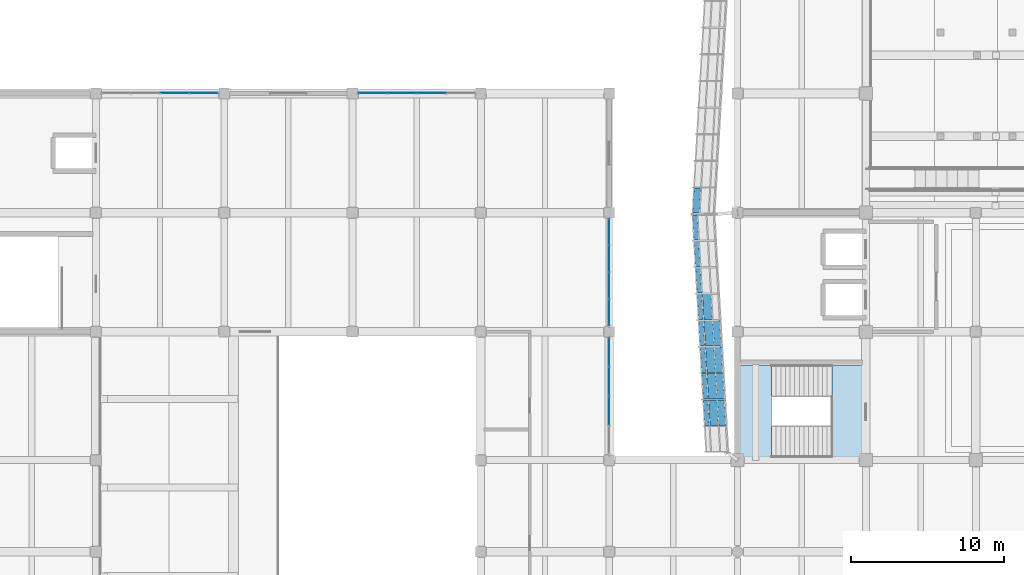
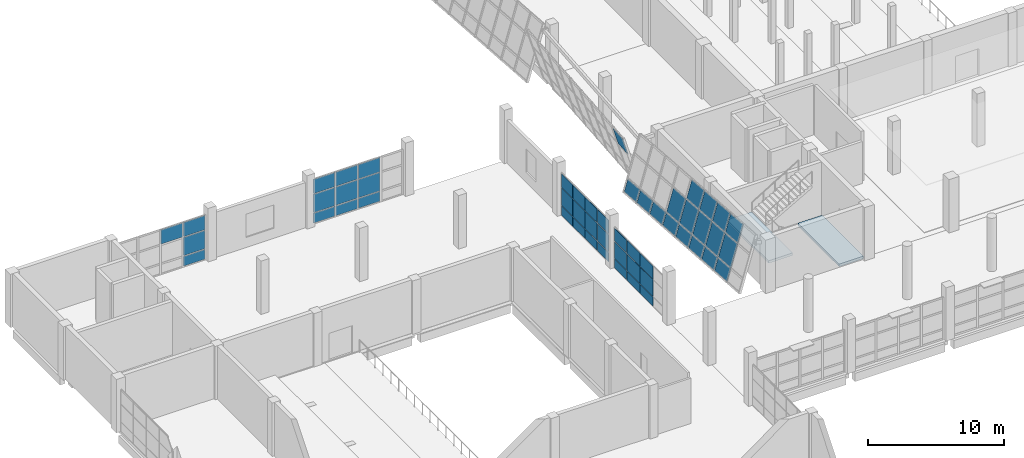
# One storey, part 66 of 91: 52 plates, 2 slabs, 7 elements without a shape of their own.
"""IFC4 building model written with IfcOpenShell, lengths in metres."""

from ifc_helpers import new_model, si_unit, direction, frame, origin, place, context, subcontext, project, spatial, polyline, outline, extrude, material, layer, layer_set, type_object, element, aggregate, save


model = new_model("IFC4")

# Units and contexts
model_context = context("Model", 3, precision=1e-05, world=origin(), true_north=direction((0.0, 1.0)))
body_context = subcontext(model_context, "Body", "Model", "MODEL_VIEW")
ifc_project = project(units=[si_unit("LENGTHUNIT", "METRE"), si_unit("AREAUNIT", "SQUARE_METRE"), si_unit("VOLUMEUNIT", "CUBIC_METRE"), si_unit("PLANEANGLEUNIT", "RADIAN"), si_unit("MASSUNIT", "GRAM", prefix="KILO")], contexts=[model_context])

# Site, building, storey
site_placement = place(None, origin())
site = spatial("IfcSite", under=ifc_project, at=site_placement, CompositionType="ELEMENT")
building_placement = place(site_placement, origin())
building = spatial("IfcBuilding", under=site, at=building_placement, Name="Pellamere Symphony Hall", CompositionType="ELEMENT")
storey_placement = place(building_placement, frame((0.0, 0.0, 5.39990234375)))
storey = spatial("IfcBuildingStorey", under=building, at=storey_placement, Name="L01", CompositionType="ELEMENT", Elevation=5.39990234375)

# Curtain wall, plate
ifc_material_1 = material(Name="Thermally Broken Anodised Aluminium 6063-T6 Curtain Wall", Category="aluminium")
curtain_wall_type_1 = type_object("IfcCurtainWallType", Name="Curtain Wall CW-01 (Tilted Faceted Crystal Low-Iron Curtain Wall)", PredefinedType="NOTDEFINED", material=ifc_material_1)
curtain_wall_1_placement = place(storey_placement, origin())
curtain_wall_1 = element("IfcCurtainWall", 1, at=curtain_wall_1_placement, inside=storey, type_object=curtain_wall_type_1, Name="Crystal Faceted Curtain Wall CW-CR17 (L01)", PredefinedType="NOTDEFINED")
ifc_material_2 = material(Name="Pre-Weathered Quartz-Zinc Faceted Cladding Cassette", Category="aluminium")
ifc_layer_1 = layer(ifc_material_2, 0.0400390625, Name="Pre-Weathered Quartz-Zinc Faceted Cladding Cassette")
ifc_layer_set_1 = layer_set([ifc_layer_1], Name="Pre-Weathered Quartz-Zinc Faceted Cladding Cassette")
plate_type_1 = type_object("IfcPlateType", Name="Facade Panel CL-01 40mm", PredefinedType="CURTAIN_PANEL", material=ifc_layer_set_1)
plate_1_placement = place(storey_placement, frame((47.998779296875, 47.806884765625, 3.2041015625), z_axis=(0.957387170277, -0.054851052538, 0.283550997572), x_axis=(-0.057198647566, -0.998362817175, 0.0)))
plate_1 = element("IfcPlate", 2, at=plate_1_placement, type_object=plate_type_1, Name="CW1-048 crystal glass panel 9.3", PredefinedType="CURTAIN_PANEL", context=body_context, shape_type="SweptSolid", body=[
    extrude(outline(polyline([(0.0, 0.0), (1.6347564733470132, 0.0), (1.6605768589303367, -1.5894035603330965), (0.025820385583323543, -1.5894035603330965), (0.0, 0.0)])), origin(), (0.0, 0.0, -1.0), 0.0400390625),
])
aggregate(curtain_wall_1, [plate_1])

# Curtain wall, plates
curtain_wall_type_2 = type_object("IfcCurtainWallType", Name="Curtain Wall CW-04 (Chamber Music Lobby Curtain Wall)", PredefinedType="NOTDEFINED", material=ifc_material_1)
curtain_wall_2_placement = place(storey_placement, origin())
curtain_wall_2 = element("IfcCurtainWall", 3, at=curtain_wall_2_placement, inside=storey, type_object=curtain_wall_type_2, Name="Chamber Forecourt East Curtain Wall (L01 Bay 2)", PredefinedType="NOTDEFINED")
ifc_material_3 = material(Name="Triple Low-E Argon Acoustic Glazing 36mm", Category="glass")
ifc_layer_2 = layer(ifc_material_3, 0.035888671875, Name="Triple Low-E Argon Acoustic Glazing 36mm")
ifc_layer_set_2 = layer_set([ifc_layer_2], Name="Triple Low-E Argon Acoustic Glazing 36mm")
plate_type_2 = type_object("IfcPlateType", Name="Facade Panel GL-01 36mm", PredefinedType="CURTAIN_PANEL", material=ifc_layer_set_2)
plate_2_placement = place(storey_placement, frame((42.0, 32.3076171875, 0.065185546875), z_axis=(1.0, 0.0, 0.0), x_axis=(0.0, 1.0, 0.0)))
plate_2 = element("IfcPlate", 4, at=plate_2_placement, type_object=plate_type_2, Name="CW4E-117 crystal glass panel 2.1", PredefinedType="CURTAIN_PANEL", context=body_context, shape_type="SweptSolid", body=[
    extrude(outline(polyline([(0.0, 0.0), (1.85986328125, 0.0), (1.85986328125, 0.79052734375), (0.0, 0.79052734375), (0.0, 0.0)])), origin(), (0.0, 0.0, -1.0), 0.035888671875),
])
plate_3_placement = place(storey_placement, frame((42.0, 32.3076171875, 0.920654296875), z_axis=(1.0, 0.0, 0.0), x_axis=(0.0, 1.0, 0.0)))
plate_3 = element("IfcPlate", 5, at=plate_3_placement, type_object=plate_type_2, Name="CW4E-117 crystal glass panel 2.2", PredefinedType="CURTAIN_PANEL", context=body_context, shape_type="SweptSolid", body=[
    extrude(outline(polyline([(0.0, 0.0), (1.85986328125, 0.0), (1.85986328125, 1.489013671875), (0.0, 1.489013671875), (0.0, 0.0)])), origin(), (0.0, 0.0, -1.0), 0.035888671875),
])
plate_4_placement = place(storey_placement, frame((42.0, 32.3076171875, 2.474609375), z_axis=(1.0, 0.0, 0.0), x_axis=(0.0, 1.0, 0.0)))
plate_4 = element("IfcPlate", 6, at=plate_4_placement, type_object=plate_type_2, Name="CW4E-117 crystal glass panel 2.3", PredefinedType="CURTAIN_PANEL", context=body_context, shape_type="SweptSolid", body=[
    extrude(outline(polyline([(0.0, 0.0), (1.85986328125, 0.0), (1.85986328125, 1.160400390625), (0.0, 1.160400390625), (0.0, 0.0)])), origin(), (0.0, 0.0, -1.0), 0.035888671875),
])
plate_5_placement = place(storey_placement, frame((42.0, 34.232421875, 0.065185546875), z_axis=(1.0, 0.0, 0.0), x_axis=(0.0, 1.0, 0.0)))
plate_5 = element("IfcPlate", 7, at=plate_5_placement, type_object=plate_type_2, Name="CW4E-117 crystal glass panel 3.1", PredefinedType="CURTAIN_PANEL", context=body_context, shape_type="SweptSolid", body=[
    extrude(outline(polyline([(0.0, 0.0), (1.860107421875, 0.0), (1.860107421875, 0.79052734375), (0.0, 0.79052734375), (0.0, 0.0)])), origin(), (0.0, 0.0, -1.0), 0.035888671875),
])
plate_6_placement = place(storey_placement, frame((42.0, 34.232421875, 0.920654296875), z_axis=(1.0, 0.0, 0.0), x_axis=(0.0, 1.0, 0.0)))
plate_6 = element("IfcPlate", 8, at=plate_6_placement, type_object=plate_type_2, Name="CW4E-117 crystal glass panel 3.2", PredefinedType="CURTAIN_PANEL", context=body_context, shape_type="SweptSolid", body=[
    extrude(outline(polyline([(0.0, 0.0), (1.860107421875, 0.0), (1.860107421875, 1.489013671875), (0.0, 1.489013671875), (0.0, 0.0)])), origin(), (0.0, 0.0, -1.0), 0.035888671875),
])
plate_7_placement = place(storey_placement, frame((42.0, 34.232421875, 2.474609375), z_axis=(1.0, 0.0, 0.0), x_axis=(0.0, 1.0, 0.0)))
plate_7 = element("IfcPlate", 9, at=plate_7_placement, type_object=plate_type_2, Name="CW4E-117 crystal glass panel 3.3", PredefinedType="CURTAIN_PANEL", context=body_context, shape_type="SweptSolid", body=[
    extrude(outline(polyline([(0.0, 0.0), (1.860107421875, 0.0), (1.860107421875, 1.160400390625), (0.0, 1.160400390625), (0.0, 0.0)])), origin(), (0.0, 0.0, -1.0), 0.035888671875),
])
plate_8_placement = place(storey_placement, frame((42.0, 36.157470703125, 0.065185546875), z_axis=(1.0, 0.0, 0.0), x_axis=(0.0, 1.0, 0.0)))
plate_8 = element("IfcPlate", 10, at=plate_8_placement, type_object=plate_type_2, Name="CW4E-117 crystal glass panel 4.1", PredefinedType="CURTAIN_PANEL", context=body_context, shape_type="SweptSolid", body=[
    extrude(outline(polyline([(0.0, 0.0), (1.82763671875, 0.0), (1.82763671875, 0.79052734375), (0.0, 0.79052734375), (0.0, 0.0)])), origin(), (0.0, 0.0, -1.0), 0.035888671875),
])
plate_9_placement = place(storey_placement, frame((42.0, 36.157470703125, 0.920654296875), z_axis=(1.0, 0.0, 0.0), x_axis=(0.0, 1.0, 0.0)))
plate_9 = element("IfcPlate", 11, at=plate_9_placement, type_object=plate_type_2, Name="CW4E-117 crystal glass panel 4.2", PredefinedType="CURTAIN_PANEL", context=body_context, shape_type="SweptSolid", body=[
    extrude(outline(polyline([(0.0, 0.0), (1.82763671875, 0.0), (1.82763671875, 1.489013671875), (0.0, 1.489013671875), (0.0, 0.0)])), origin(), (0.0, 0.0, -1.0), 0.035888671875),
])
plate_10_placement = place(storey_placement, frame((42.0, 36.157470703125, 2.474609375), z_axis=(1.0, 0.0, 0.0), x_axis=(0.0, 1.0, 0.0)))
plate_10 = element("IfcPlate", 12, at=plate_10_placement, type_object=plate_type_2, Name="CW4E-117 crystal glass panel 4.3", PredefinedType="CURTAIN_PANEL", context=body_context, shape_type="SweptSolid", body=[
    extrude(outline(polyline([(0.0, 0.0), (1.82763671875, 0.0), (1.82763671875, 1.160400390625), (0.0, 1.160400390625), (0.0, 0.0)])), origin(), (0.0, 0.0, -1.0), 0.035888671875),
])
aggregate(curtain_wall_2, [plate_2, plate_3, plate_4, plate_5, plate_6, plate_7, plate_8, plate_9, plate_10])

curtain_wall_3_placement = place(storey_placement, origin())
curtain_wall_3 = element("IfcCurtainWall", 13, at=curtain_wall_3_placement, inside=storey, type_object=curtain_wall_type_2, Name="Chamber Forecourt East Curtain Wall (L01 Bay 3)", PredefinedType="NOTDEFINED")
plate_11_placement = place(storey_placement, frame((42.0, 38.81494140625, 0.065185546875), z_axis=(1.0, 0.0, 0.0), x_axis=(0.0, 1.0, 0.0)))
plate_11 = element("IfcPlate", 14, at=plate_11_placement, type_object=plate_type_2, Name="CW4E-118 crystal glass panel 1.1", PredefinedType="CURTAIN_PANEL", context=body_context, shape_type="SweptSolid", body=[
    extrude(outline(polyline([(0.0, 0.0), (1.677490234375, 0.0), (1.677490234375, 0.826416015625), (0.0, 0.826416015625), (0.0, 0.0)])), origin(), (0.0, 0.0, -1.0), 0.035888671875),
])
plate_12_placement = place(storey_placement, frame((42.0, 38.81494140625, 0.95654296875), z_axis=(1.0, 0.0, 0.0), x_axis=(0.0, 1.0, 0.0)))
plate_12 = element("IfcPlate", 15, at=plate_12_placement, type_object=plate_type_2, Name="CW4E-118 crystal glass panel 1.2", PredefinedType="CURTAIN_PANEL", context=body_context, shape_type="SweptSolid", body=[
    extrude(outline(polyline([(0.0, 0.0), (1.677490234375, 0.0), (1.677490234375, 1.552001953125), (0.0, 1.552001953125), (0.0, 0.0)])), origin(), (0.0, 0.0, -1.0), 0.035888671875),
])
plate_13_placement = place(storey_placement, frame((42.0, 38.81494140625, 2.573486328125), z_axis=(1.0, 0.0, 0.0), x_axis=(0.0, 1.0, 0.0)))
plate_13 = element("IfcPlate", 16, at=plate_13_placement, type_object=plate_type_2, Name="CW4E-118 crystal glass panel 1.3", PredefinedType="CURTAIN_PANEL", context=body_context, shape_type="SweptSolid", body=[
    extrude(outline(polyline([(0.0, 0.0), (1.677490234375, 0.0), (1.677490234375, 1.211669921875), (0.0, 1.211669921875), (0.0, 0.0)])), origin(), (0.0, 0.0, -1.0), 0.035888671875),
])
plate_14_placement = place(storey_placement, frame((42.0, 40.5576171875, 0.065185546875), z_axis=(1.0, 0.0, 0.0), x_axis=(0.0, 1.0, 0.0)))
plate_14 = element("IfcPlate", 17, at=plate_14_placement, type_object=plate_type_2, Name="CW4E-118 crystal glass panel 2.1", PredefinedType="CURTAIN_PANEL", context=body_context, shape_type="SweptSolid", body=[
    extrude(outline(polyline([(0.0, 0.0), (1.7099609375, 0.0), (1.7099609375, 0.826416015625), (0.0, 0.826416015625), (0.0, 0.0)])), origin(), (0.0, 0.0, -1.0), 0.035888671875),
])
plate_15_placement = place(storey_placement, frame((42.0, 40.5576171875, 0.95654296875), z_axis=(1.0, 0.0, 0.0), x_axis=(0.0, 1.0, 0.0)))
plate_15 = element("IfcPlate", 18, at=plate_15_placement, type_object=plate_type_2, Name="CW4E-118 crystal glass panel 2.2", PredefinedType="CURTAIN_PANEL", context=body_context, shape_type="SweptSolid", body=[
    extrude(outline(polyline([(0.0, 0.0), (1.7099609375, 0.0), (1.7099609375, 1.552001953125), (0.0, 1.552001953125), (0.0, 0.0)])), origin(), (0.0, 0.0, -1.0), 0.035888671875),
])
plate_16_placement = place(storey_placement, frame((42.0, 40.5576171875, 2.573486328125), z_axis=(1.0, 0.0, 0.0), x_axis=(0.0, 1.0, 0.0)))
plate_16 = element("IfcPlate", 19, at=plate_16_placement, type_object=plate_type_2, Name="CW4E-118 crystal glass panel 2.3", PredefinedType="CURTAIN_PANEL", context=body_context, shape_type="SweptSolid", body=[
    extrude(outline(polyline([(0.0, 0.0), (1.7099609375, 0.0), (1.7099609375, 1.211669921875), (0.0, 1.211669921875), (0.0, 0.0)])), origin(), (0.0, 0.0, -1.0), 0.035888671875),
])
plate_17_placement = place(storey_placement, frame((42.0, 42.33251953125, 0.065185546875), z_axis=(1.0, 0.0, 0.0), x_axis=(0.0, 1.0, 0.0)))
plate_17 = element("IfcPlate", 20, at=plate_17_placement, type_object=plate_type_2, Name="CW4E-118 crystal glass panel 3.1", PredefinedType="CURTAIN_PANEL", context=body_context, shape_type="SweptSolid", body=[
    extrude(outline(polyline([(0.0, 0.0), (1.7099609375, 0.0), (1.7099609375, 0.826416015625), (0.0, 0.826416015625), (0.0, 0.0)])), origin(), (0.0, 0.0, -1.0), 0.035888671875),
])
plate_18_placement = place(storey_placement, frame((42.0, 42.33251953125, 0.95654296875), z_axis=(1.0, 0.0, 0.0), x_axis=(0.0, 1.0, 0.0)))
plate_18 = element("IfcPlate", 21, at=plate_18_placement, type_object=plate_type_2, Name="CW4E-118 crystal glass panel 3.2", PredefinedType="CURTAIN_PANEL", context=body_context, shape_type="SweptSolid", body=[
    extrude(outline(polyline([(0.0, 0.0), (1.7099609375, 0.0), (1.7099609375, 1.552001953125), (0.0, 1.552001953125), (0.0, 0.0)])), origin(), (0.0, 0.0, -1.0), 0.035888671875),
])
plate_19_placement = place(storey_placement, frame((42.0, 42.33251953125, 2.573486328125), z_axis=(1.0, 0.0, 0.0), x_axis=(0.0, 1.0, 0.0)))
plate_19 = element("IfcPlate", 22, at=plate_19_placement, type_object=plate_type_2, Name="CW4E-118 crystal glass panel 3.3", PredefinedType="CURTAIN_PANEL", context=body_context, shape_type="SweptSolid", body=[
    extrude(outline(polyline([(0.0, 0.0), (1.7099609375, 0.0), (1.7099609375, 1.211669921875), (0.0, 1.211669921875), (0.0, 0.0)])), origin(), (0.0, 0.0, -1.0), 0.035888671875),
])
plate_20_placement = place(storey_placement, frame((42.0, 44.107421875, 0.065185546875), z_axis=(1.0, 0.0, 0.0), x_axis=(0.0, 1.0, 0.0)))
plate_20 = element("IfcPlate", 23, at=plate_20_placement, type_object=plate_type_2, Name="CW4E-118 crystal glass panel 4.1", PredefinedType="CURTAIN_PANEL", context=body_context, shape_type="SweptSolid", body=[
    extrude(outline(polyline([(0.0, 0.0), (1.677490234375, 0.0), (1.677490234375, 0.826416015625), (0.0, 0.826416015625), (0.0, 0.0)])), origin(), (0.0, 0.0, -1.0), 0.035888671875),
])
plate_21_placement = place(storey_placement, frame((42.0, 44.107421875, 0.95654296875), z_axis=(1.0, 0.0, 0.0), x_axis=(0.0, 1.0, 0.0)))
plate_21 = element("IfcPlate", 24, at=plate_21_placement, type_object=plate_type_2, Name="CW4E-118 crystal glass panel 4.2", PredefinedType="CURTAIN_PANEL", context=body_context, shape_type="SweptSolid", body=[
    extrude(outline(polyline([(0.0, 0.0), (1.677490234375, 0.0), (1.677490234375, 1.552001953125), (0.0, 1.552001953125), (0.0, 0.0)])), origin(), (0.0, 0.0, -1.0), 0.035888671875),
])
plate_22_placement = place(storey_placement, frame((42.0, 44.107421875, 2.573486328125), z_axis=(1.0, 0.0, 0.0), x_axis=(0.0, 1.0, 0.0)))
plate_22 = element("IfcPlate", 25, at=plate_22_placement, type_object=plate_type_2, Name="CW4E-118 crystal glass panel 4.3", PredefinedType="CURTAIN_PANEL", context=body_context, shape_type="SweptSolid", body=[
    extrude(outline(polyline([(0.0, 0.0), (1.677490234375, 0.0), (1.677490234375, 1.211669921875), (0.0, 1.211669921875), (0.0, 0.0)])), origin(), (0.0, 0.0, -1.0), 0.035888671875),
])
aggregate(curtain_wall_3, [plate_11, plate_12, plate_13, plate_14, plate_15, plate_16, plate_17, plate_18, plate_19, plate_20, plate_21, plate_22])

curtain_wall_4_placement = place(storey_placement, origin())
curtain_wall_4 = element("IfcCurtainWall", 26, at=curtain_wall_4_placement, inside=storey, type_object=curtain_wall_type_2, Name="Chamber Garden North Curtain Wall (L01 Bay 1)", PredefinedType="NOTDEFINED")
plate_23_placement = place(storey_placement, frame((12.632568359375, 54.0, 2.71484375), z_axis=(0.0, -1.0, 0.0), x_axis=(1.0, 0.0, 0.0)))
plate_23 = element("IfcPlate", 27, at=plate_23_placement, type_object=plate_type_2, Name="CW4N-119 crystal glass panel 3.3", PredefinedType="CURTAIN_PANEL", context=body_context, shape_type="SweptSolid", body=[
    extrude(outline(polyline([(0.0, 0.0), (1.85986328125, 0.0), (1.85986328125, 1.2841796875), (0.0, 1.2841796875), (0.0, 0.0)])), origin(), (0.0, 0.0, -1.0), 0.035888671875),
])
plate_24_placement = place(storey_placement, frame((14.5576171875, 54.0, 0.065185546875), z_axis=(0.0, -1.0, 0.0), x_axis=(1.0, 0.0, 0.0)))
plate_24 = element("IfcPlate", 28, at=plate_24_placement, type_object=plate_type_2, Name="CW4N-119 crystal glass panel 4.1", PredefinedType="CURTAIN_PANEL", context=body_context, shape_type="SweptSolid", body=[
    extrude(outline(polyline([(0.0, 0.0), (1.827392578125, 0.0), (1.827392578125, 0.877685546875), (0.0, 0.877685546875), (0.0, 0.0)])), origin(), (0.0, 0.0, -1.0), 0.035888671875),
])
plate_25_placement = place(storey_placement, frame((14.5576171875, 54.0, 1.008056640625), z_axis=(0.0, -1.0, 0.0), x_axis=(1.0, 0.0, 0.0)))
plate_25 = element("IfcPlate", 29, at=plate_25_placement, type_object=plate_type_2, Name="CW4N-119 crystal glass panel 4.2", PredefinedType="CURTAIN_PANEL", context=body_context, shape_type="SweptSolid", body=[
    extrude(outline(polyline([(0.0, 0.0), (1.827392578125, 0.0), (1.827392578125, 1.641845703125), (0.0, 1.641845703125), (0.0, 0.0)])), origin(), (0.0, 0.0, -1.0), 0.035888671875),
])
plate_26_placement = place(storey_placement, frame((14.5576171875, 54.0, 2.71484375), z_axis=(0.0, -1.0, 0.0), x_axis=(1.0, 0.0, 0.0)))
plate_26 = element("IfcPlate", 30, at=plate_26_placement, type_object=plate_type_2, Name="CW4N-119 crystal glass panel 4.3", PredefinedType="CURTAIN_PANEL", context=body_context, shape_type="SweptSolid", body=[
    extrude(outline(polyline([(0.0, 0.0), (1.827392578125, 0.0), (1.827392578125, 1.2841796875), (0.0, 1.2841796875), (0.0, 0.0)])), origin(), (0.0, 0.0, -1.0), 0.035888671875),
])
aggregate(curtain_wall_4, [plate_23, plate_24, plate_25, plate_26])

curtain_wall_5_placement = place(storey_placement, origin())
curtain_wall_5 = element("IfcCurtainWall", 31, at=curtain_wall_5_placement, inside=storey, type_object=curtain_wall_type_2, Name="Chamber Garden North Curtain Wall (L01 Bay 2)", PredefinedType="NOTDEFINED")
plate_27_placement = place(storey_placement, frame((25.614990234375, 54.0, 0.065185546875), z_axis=(0.0, -1.0, 0.0), x_axis=(1.0, 0.0, 0.0)))
plate_27 = element("IfcPlate", 32, at=plate_27_placement, type_object=plate_type_2, Name="CW4N-120 crystal glass panel 1.1", PredefinedType="CURTAIN_PANEL", context=body_context, shape_type="SweptSolid", body=[
    extrude(outline(polyline([(0.0, 0.0), (1.827392578125, 0.0), (1.827392578125, 0.877685546875), (0.0, 0.877685546875), (0.0, 0.0)])), origin(), (0.0, 0.0, -1.0), 0.035888671875),
])
plate_28_placement = place(storey_placement, frame((25.614990234375, 54.0, 1.008056640625), z_axis=(0.0, -1.0, 0.0), x_axis=(1.0, 0.0, 0.0)))
plate_28 = element("IfcPlate", 33, at=plate_28_placement, type_object=plate_type_2, Name="CW4N-120 crystal glass panel 1.2", PredefinedType="CURTAIN_PANEL", context=body_context, shape_type="SweptSolid", body=[
    extrude(outline(polyline([(0.0, 0.0), (1.827392578125, 0.0), (1.827392578125, 1.641845703125), (0.0, 1.641845703125), (0.0, 0.0)])), origin(), (0.0, 0.0, -1.0), 0.035888671875),
])
plate_29_placement = place(storey_placement, frame((25.614990234375, 54.0, 2.71484375), z_axis=(0.0, -1.0, 0.0), x_axis=(1.0, 0.0, 0.0)))
plate_29 = element("IfcPlate", 34, at=plate_29_placement, type_object=plate_type_2, Name="CW4N-120 crystal glass panel 1.3", PredefinedType="CURTAIN_PANEL", context=body_context, shape_type="SweptSolid", body=[
    extrude(outline(polyline([(0.0, 0.0), (1.827392578125, 0.0), (1.827392578125, 1.2841796875), (0.0, 1.2841796875), (0.0, 0.0)])), origin(), (0.0, 0.0, -1.0), 0.035888671875),
])
plate_30_placement = place(storey_placement, frame((27.507568359375, 54.0, 0.065185546875), z_axis=(0.0, -1.0, 0.0), x_axis=(1.0, 0.0, 0.0)))
plate_30 = element("IfcPlate", 35, at=plate_30_placement, type_object=plate_type_2, Name="CW4N-120 crystal glass panel 2.1", PredefinedType="CURTAIN_PANEL", context=body_context, shape_type="SweptSolid", body=[
    extrude(outline(polyline([(0.0, 0.0), (1.85986328125, 0.0), (1.85986328125, 0.877685546875), (0.0, 0.877685546875), (0.0, 0.0)])), origin(), (0.0, 0.0, -1.0), 0.035888671875),
])
plate_31_placement = place(storey_placement, frame((27.507568359375, 54.0, 1.008056640625), z_axis=(0.0, -1.0, 0.0), x_axis=(1.0, 0.0, 0.0)))
plate_31 = element("IfcPlate", 36, at=plate_31_placement, type_object=plate_type_2, Name="CW4N-120 crystal glass panel 2.2", PredefinedType="CURTAIN_PANEL", context=body_context, shape_type="SweptSolid", body=[
    extrude(outline(polyline([(0.0, 0.0), (1.85986328125, 0.0), (1.85986328125, 1.641845703125), (0.0, 1.641845703125), (0.0, 0.0)])), origin(), (0.0, 0.0, -1.0), 0.035888671875),
])
plate_32_placement = place(storey_placement, frame((27.507568359375, 54.0, 2.71484375), z_axis=(0.0, -1.0, 0.0), x_axis=(1.0, 0.0, 0.0)))
plate_32 = element("IfcPlate", 37, at=plate_32_placement, type_object=plate_type_2, Name="CW4N-120 crystal glass panel 2.3", PredefinedType="CURTAIN_PANEL", context=body_context, shape_type="SweptSolid", body=[
    extrude(outline(polyline([(0.0, 0.0), (1.85986328125, 0.0), (1.85986328125, 1.2841796875), (0.0, 1.2841796875), (0.0, 0.0)])), origin(), (0.0, 0.0, -1.0), 0.035888671875),
])
plate_33_placement = place(storey_placement, frame((29.4326171875, 54.0, 0.065185546875), z_axis=(0.0, -1.0, 0.0), x_axis=(1.0, 0.0, 0.0)))
plate_33 = element("IfcPlate", 38, at=plate_33_placement, type_object=plate_type_2, Name="CW4N-120 crystal glass panel 3.1", PredefinedType="CURTAIN_PANEL", context=body_context, shape_type="SweptSolid", body=[
    extrude(outline(polyline([(0.0, 0.0), (1.85986328125, 0.0), (1.85986328125, 0.877685546875), (0.0, 0.877685546875), (0.0, 0.0)])), origin(), (0.0, 0.0, -1.0), 0.035888671875),
])
plate_34_placement = place(storey_placement, frame((29.4326171875, 54.0, 1.008056640625), z_axis=(0.0, -1.0, 0.0), x_axis=(1.0, 0.0, 0.0)))
plate_34 = element("IfcPlate", 39, at=plate_34_placement, type_object=plate_type_2, Name="CW4N-120 crystal glass panel 3.2", PredefinedType="CURTAIN_PANEL", context=body_context, shape_type="SweptSolid", body=[
    extrude(outline(polyline([(0.0, 0.0), (1.85986328125, 0.0), (1.85986328125, 1.641845703125), (0.0, 1.641845703125), (0.0, 0.0)])), origin(), (0.0, 0.0, -1.0), 0.035888671875),
])
plate_35_placement = place(storey_placement, frame((29.4326171875, 54.0, 2.71484375), z_axis=(0.0, -1.0, 0.0), x_axis=(1.0, 0.0, 0.0)))
plate_35 = element("IfcPlate", 40, at=plate_35_placement, type_object=plate_type_2, Name="CW4N-120 crystal glass panel 3.3", PredefinedType="CURTAIN_PANEL", context=body_context, shape_type="SweptSolid", body=[
    extrude(outline(polyline([(0.0, 0.0), (1.85986328125, 0.0), (1.85986328125, 1.2841796875), (0.0, 1.2841796875), (0.0, 0.0)])), origin(), (0.0, 0.0, -1.0), 0.035888671875),
])
aggregate(curtain_wall_5, [plate_27, plate_28, plate_29, plate_30, plate_31, plate_32, plate_33, plate_34, plate_35])

curtain_wall_6_placement = place(storey_placement, origin())
curtain_wall_6 = element("IfcCurtainWall", 41, at=curtain_wall_6_placement, inside=storey, type_object=curtain_wall_type_1, Name="Crystal Faceted Curtain Wall CW-CR18 (L01)", PredefinedType="NOTDEFINED")
ifc_material_4 = material(Name="Triple Laminated Acoustic Crystal Glazing 42mm", Category="glass")
ifc_layer_3 = layer(ifc_material_4, 0.0419921875, Name="Triple Laminated Acoustic Crystal Glazing 42mm")
ifc_layer_set_3 = layer_set([ifc_layer_3], Name="Triple Laminated Acoustic Crystal Glazing 42mm")
plate_type_3 = type_object("IfcPlateType", Name="Facade Panel GL-02 42mm", PredefinedType="CURTAIN_PANEL", material=ifc_layer_set_3)
plate_36_placement = place(storey_placement, frame((47.453857421875, 46.025146484375, 0.072021484375), z_axis=(-0.957350958392, -0.055220695341, 0.283601511406), x_axis=(0.057585007883, -0.99834060664, 0.0)))
plate_36 = element("IfcPlate", 42, at=plate_36_placement, type_object=plate_type_3, Name="CW1-053 crystal glass panel 1.1", PredefinedType="CURTAIN_PANEL", context=body_context, shape_type="SweptSolid", body=[
    extrude(outline(polyline([(0.0, 0.0), (1.6237882534451713, -6.938893903907228e-18), (1.6416008034910186, 1.0888971520236395), (0.017812550045847142, 1.0888971520236395), (0.0, 0.0)])), origin(), (0.0, 0.0, -1.0), 0.0419921875),
])
plate_37_placement = place(storey_placement, frame((47.5517578125, 44.329345703125, 0.072021484375), z_axis=(-0.957410840201, -0.055240660783, 0.283395399508), x_axis=(0.057602168051, -0.998339616682, 0.0)))
plate_37 = element("IfcPlate", 43, at=plate_37_placement, type_object=plate_type_3, Name="CW1-053 crystal glass panel 2.1", PredefinedType="CURTAIN_PANEL", context=body_context, shape_type="SweptSolid", body=[
    extrude(outline(polyline([(0.0, 0.0), (1.6614500501978287, -3.469446951953614e-18), (1.6792538453034658, 1.0888279666407128), (0.01780379510563712, 1.0888279666407128), (0.0, 0.0)])), origin(), (0.0, 0.0, -1.0), 0.0419921875),
])
plate_38_placement = place(storey_placement, frame((47.651611328125, 42.595947265625, 0.072021484375), z_axis=(-0.957349655397, -0.055245262022, 0.283601125412), x_axis=(0.057610619545, -0.998339129012, 0.0)))
plate_38 = element("IfcPlate", 44, at=plate_38_placement, type_object=plate_type_3, Name="CW1-053 crystal glass panel 3.1", PredefinedType="CURTAIN_PANEL", context=body_context, shape_type="SweptSolid", body=[
    extrude(outline(polyline([(0.0, 0.0), (1.6612063149993754, 3.469446951953614e-18), (1.67902678740273, 1.0888970223981924), (0.017820472403354506, 1.0888970223981924), (0.0, 0.0)])), origin(), (0.0, 0.0, -1.0), 0.0419921875),
])
plate_39_placement = place(storey_placement, frame((47.751708984375, 40.862548828125, 0.072021484375), z_axis=(-0.957349655397, -0.055245262022, 0.283601125412), x_axis=(0.057610619545, -0.998339129012, 0.0)))
plate_39 = element("IfcPlate", 45, at=plate_39_placement, type_object=plate_type_3, Name="CW1-053 crystal glass panel 4.1", PredefinedType="CURTAIN_PANEL", context=body_context, shape_type="SweptSolid", body=[
    extrude(outline(polyline([(0.0, 0.0), (1.6612063149993754, 3.469446951953614e-18), (1.67902678740273, 1.0888970223981924), (0.017820472403354506, 1.0888970223981924), (0.0, 0.0)])), origin(), (0.0, 0.0, -1.0), 0.0419921875),
])
plate_40_placement = place(storey_placement, frame((48.082275390625, 40.862548828125, 1.18798828125), z_axis=(-0.957367242492, -0.055175809721, 0.283555273316), x_axis=(0.057543268756, -0.998343013109, 1.9948157e-05)))
plate_40 = element("IfcPlate", 46, at=plate_40_placement, type_object=plate_type_3, Name="CW1-053 crystal glass panel 4.2", PredefinedType="CURTAIN_PANEL", context=body_context, shape_type="SweptSolid", body=[
    extrude(outline(polyline([(0.0, 0.0), (1.661206310888601, 0.0), (1.6943718076903342, 2.027265288745848), (0.033179545451331935, 2.027334401129952), (0.0, 0.0)])), origin(), (0.0, 0.0, -1.0), 0.0419921875),
])
plate_41_placement = place(storey_placement, frame((47.8515625, 39.129150390625, 0.072021484375), z_axis=(-0.957349655397, -0.055245262022, 0.283601125412), x_axis=(0.057610619545, -0.998339129012, 0.0)))
plate_41 = element("IfcPlate", 47, at=plate_41_placement, type_object=plate_type_3, Name="CW1-053 crystal glass panel 5.1", PredefinedType="CURTAIN_PANEL", context=body_context, shape_type="SweptSolid", body=[
    extrude(outline(polyline([(0.0, 0.0), (1.6612063149993754, 3.469446951953614e-18), (1.67902678740273, 1.0888970223981924), (0.017820472403354506, 1.0888970223981924), (0.0, 0.0)])), origin(), (0.0, 0.0, -1.0), 0.0419921875),
])
plate_42_placement = place(storey_placement, frame((48.18212890625, 39.129150390625, 1.18798828125), z_axis=(-0.957347197893, -0.055245120208, 0.283609448679), x_axis=(0.057610619545, -0.998339129012, 0.0)))
plate_42 = element("IfcPlate", 48, at=plate_42_placement, type_object=plate_type_3, Name="CW1-053 crystal glass panel 5.2", PredefinedType="CURTAIN_PANEL", context=body_context, shape_type="SweptSolid", body=[
    extrude(outline(polyline([(0.0, 0.0), (1.6612063149993754, 6.938893903907228e-18), (1.6943858685901516, 2.0273344043651265), (0.03317955359077607, 2.0273344043651265), (0.0, 0.0)])), origin(), (0.0, 0.0, -1.0), 0.0419921875),
])
plate_43_placement = place(storey_placement, frame((48.779296875, 39.129150390625, 3.2041015625), z_axis=(-0.95732464422, -0.055243818715, 0.283685822811), x_axis=(0.057610619545, -0.998339129012, 0.0)))
plate_43 = element("IfcPlate", 49, at=plate_43_placement, type_object=plate_type_3, Name="CW1-053 crystal glass panel 5.3", PredefinedType="CURTAIN_PANEL", context=body_context, shape_type="SweptSolid", body=[
    extrude(outline(polyline([(0.0, 0.0), (1.6612063149993754, -3.469446951953614e-18), (1.6872267364249525, 1.5894696553130707), (0.026020421425576826, 1.5894696553130707), (0.0, 0.0)])), origin(), (0.0, 0.0, -1.0), 0.0419921875),
])
plate_44_placement = place(storey_placement, frame((47.95166015625, 37.39599609375, 0.072021484375), z_axis=(-0.957349655397, -0.055245262022, 0.283601125412), x_axis=(0.057610619545, -0.998339129012, 0.0)))
plate_44 = element("IfcPlate", 50, at=plate_44_placement, type_object=plate_type_3, Name="CW1-053 crystal glass panel 6.1", PredefinedType="CURTAIN_PANEL", context=body_context, shape_type="SweptSolid", body=[
    extrude(outline(polyline([(0.0, 0.0), (1.6612063149993754, 3.469446951953614e-18), (1.67902678740273, 1.0888970223981924), (0.017820472403354506, 1.0888970223981924), (0.0, 0.0)])), origin(), (0.0, 0.0, -1.0), 0.0419921875),
])
plate_45_placement = place(storey_placement, frame((48.2822265625, 37.39599609375, 1.18798828125), z_axis=(-0.957347197893, -0.055245120208, 0.283609448679), x_axis=(0.057610619545, -0.998339129012, 0.0)))
plate_45 = element("IfcPlate", 51, at=plate_45_placement, type_object=plate_type_3, Name="CW1-053 crystal glass panel 6.2", PredefinedType="CURTAIN_PANEL", context=body_context, shape_type="SweptSolid", body=[
    extrude(outline(polyline([(0.0, 0.0), (1.6612063149993754, 6.938893903907228e-18), (1.6943858685901516, 2.0273344043651265), (0.03317955359077607, 2.0273344043651265), (0.0, 0.0)])), origin(), (0.0, 0.0, -1.0), 0.0419921875),
])
plate_46_placement = place(storey_placement, frame((48.87939453125, 37.39599609375, 3.2041015625), z_axis=(-0.957366280672, -0.055246221408, 0.283544810662), x_axis=(0.057610619545, -0.998339129012, 0.0)))
plate_46 = element("IfcPlate", 52, at=plate_46_placement, type_object=plate_type_3, Name="CW1-053 crystal glass panel 6.3", PredefinedType="CURTAIN_PANEL", context=body_context, shape_type="SweptSolid", body=[
    extrude(outline(polyline([(0.0, 0.0), (1.6612063149993754, 0.0), (1.68721267133229, 1.5894005282940733), (0.02600635633291435, 1.5894005282940733), (0.0, 0.0)])), origin(), (0.0, 0.0, -1.0), 0.0419921875),
])
plate_47_placement = place(storey_placement, frame((48.0517578125, 35.66259765625, 0.072021484375), z_axis=(-0.957410410084, -0.05524876796, 0.283395272192), x_axis=(0.057610619545, -0.998339129012, 0.0)))
plate_47 = element("IfcPlate", 53, at=plate_47_placement, type_object=plate_type_3, Name="CW1-053 crystal glass panel 7.1", PredefinedType="CURTAIN_PANEL", context=body_context, shape_type="SweptSolid", body=[
    extrude(outline(polyline([(0.0, 0.0), (1.6612063149993754, 3.469446951953614e-18), (1.6790127223100675, 1.0888279239245282), (0.017806407310692034, 1.0888279239245282), (0.0, 0.0)])), origin(), (0.0, 0.0, -1.0), 0.0419921875),
])
plate_48_placement = place(storey_placement, frame((48.38232421875, 35.66259765625, 1.18798828125), z_axis=(-0.957379835106, -0.055247003586, 0.283498888758), x_axis=(0.057610619545, -0.998339129012, 0.0)))
plate_48 = element("IfcPlate", 54, at=plate_48_placement, type_object=plate_type_3, Name="CW1-053 crystal glass panel 7.2", PredefinedType="CURTAIN_PANEL", context=body_context, shape_type="SweptSolid", body=[
    extrude(outline(polyline([(0.0, 0.0), (1.6612063149993754, -3.469446951953614e-18), (1.694371803497489, 2.0272652922501933), (0.03316548849811359, 2.0272652922501933), (0.0, 0.0)])), origin(), (0.0, 0.0, -1.0), 0.0419921875),
])
plate_49_placement = place(storey_placement, frame((48.9794921875, 35.66259765625, 3.2041015625), z_axis=(-0.957366280672, -0.055246221408, 0.283544810662), x_axis=(0.057610619545, -0.998339129012, 0.0)))
plate_49 = element("IfcPlate", 55, at=plate_49_placement, type_object=plate_type_3, Name="CW1-053 crystal glass panel 7.3", PredefinedType="CURTAIN_PANEL", context=body_context, shape_type="SweptSolid", body=[
    extrude(outline(polyline([(0.0, 0.0), (1.6612063149993754, 0.0), (1.68721267133229, 1.5894005282940733), (0.02600635633291435, 1.5894005282940733), (0.0, 0.0)])), origin(), (0.0, 0.0, -1.0), 0.0419921875),
])
plate_50_placement = place(storey_placement, frame((48.151611328125, 33.92919921875, 0.072021484375), z_axis=(-0.957349655397, -0.055245262022, 0.283601125412), x_axis=(0.057610619545, -0.998339129012, 0.0)))
plate_50 = element("IfcPlate", 56, at=plate_50_placement, type_object=plate_type_3, Name="CW1-053 crystal glass panel 8.1", PredefinedType="CURTAIN_PANEL", context=body_context, shape_type="SweptSolid", body=[
    extrude(outline(polyline([(0.0, 0.0), (1.6612063149993754, 3.469446951953614e-18), (1.67902678740273, 1.0888970223981924), (0.017820472403354506, 1.0888970223981924), (0.0, 0.0)])), origin(), (0.0, 0.0, -1.0), 0.0419921875),
])
plate_51_placement = place(storey_placement, frame((48.482177734375, 33.92919921875, 1.18798828125), z_axis=(-0.957347197893, -0.055245120208, 0.283609448679), x_axis=(0.057610619545, -0.998339129012, 0.0)))
plate_51 = element("IfcPlate", 57, at=plate_51_placement, type_object=plate_type_3, Name="CW1-053 crystal glass panel 8.2", PredefinedType="CURTAIN_PANEL", context=body_context, shape_type="SweptSolid", body=[
    extrude(outline(polyline([(0.0, 0.0), (1.6612063149993754, 6.938893903907228e-18), (1.6943858685901516, 2.0273344043651265), (0.03317955359077607, 2.0273344043651265), (0.0, 0.0)])), origin(), (0.0, 0.0, -1.0), 0.0419921875),
])
plate_52_placement = place(storey_placement, frame((49.079345703125, 33.92919921875, 3.2041015625), z_axis=(-0.957366280672, -0.055246221408, 0.283544810662), x_axis=(0.057610619545, -0.998339129012, 0.0)))
plate_52 = element("IfcPlate", 58, at=plate_52_placement, type_object=plate_type_3, Name="CW1-053 crystal glass panel 8.3", PredefinedType="CURTAIN_PANEL", context=body_context, shape_type="SweptSolid", body=[
    extrude(outline(polyline([(0.0, 0.0), (1.6612063149993754, 0.0), (1.68721267133229, 1.5894005282940733), (0.02600635633291435, 1.5894005282940733), (0.0, 0.0)])), origin(), (0.0, 0.0, -1.0), 0.0419921875),
])
aggregate(curtain_wall_6, [plate_36, plate_37, plate_38, plate_39, plate_40, plate_41, plate_42, plate_43, plate_44, plate_45, plate_46, plate_47, plate_48, plate_49, plate_50, plate_51, plate_52])

# Stair, slabs
ifc_material_5 = material(Name="Concrete 40 MPa", Category="concrete")
stair_type = type_object("IfcStairType", Name="Stair ST-B W2050", PredefinedType="HALF_TURN_STAIR", material=ifc_material_5)
stair_placement = place(storey_placement, origin())
stair = element("IfcStair", 59, at=stair_placement, inside=storey, type_object=stair_type, Name="Exit Stair ST01-L01 (L01 to L02)", PredefinedType="HALF_TURN_STAIR")
ifc_layer_4 = layer(ifc_material_5, 0.219970703125, Name="Concrete 40 MPa")
ifc_layer_set_4 = layer_set([ifc_layer_4], Name="Concrete 40 MPa")
slab_type = type_object("IfcSlabType", Name="Stair Landing SL-01 220mm", PredefinedType="LANDING", material=ifc_layer_set_4)
slab_1_placement = place(storey_placement, frame((0.0, 0.0, -0.219970703125)))
slab_1 = element("IfcSlab", 60, at=slab_1_placement, type_object=slab_type, Name="Stair ST01-L01 Bottom Landing (L01)", PredefinedType="LANDING", context=body_context, shape_type="SweptSolid", body=[
    extrude(outline(polyline([(56.574951171875, 30.159912109375), (58.639892578125, 30.159912109375), (58.639892578125, 36.239990234375), (56.574951171875, 36.239990234375), (56.574951171875, 30.159912109375)])), origin(), (0.0, 0.0, 1.0), 0.219970703125),
])
slab_2_placement = place(storey_placement, frame((0.0, 0.0, 2.18017578125)))
slab_2 = element("IfcSlab", 61, at=slab_2_placement, type_object=slab_type, Name="Stair ST01-L01 Half Landing (L01)", PredefinedType="LANDING", context=body_context, shape_type="SweptSolid", body=[
    extrude(outline(polyline([(50.56005859375, 30.159912109375), (52.625, 30.159912109375), (52.625, 36.239990234375), (50.56005859375, 36.239990234375), (50.56005859375, 30.159912109375)])), origin(), (0.0, 0.0, 1.0), 0.219970703125),
])
aggregate(stair, [slab_1, slab_2])

save(model, "model.ifc")
